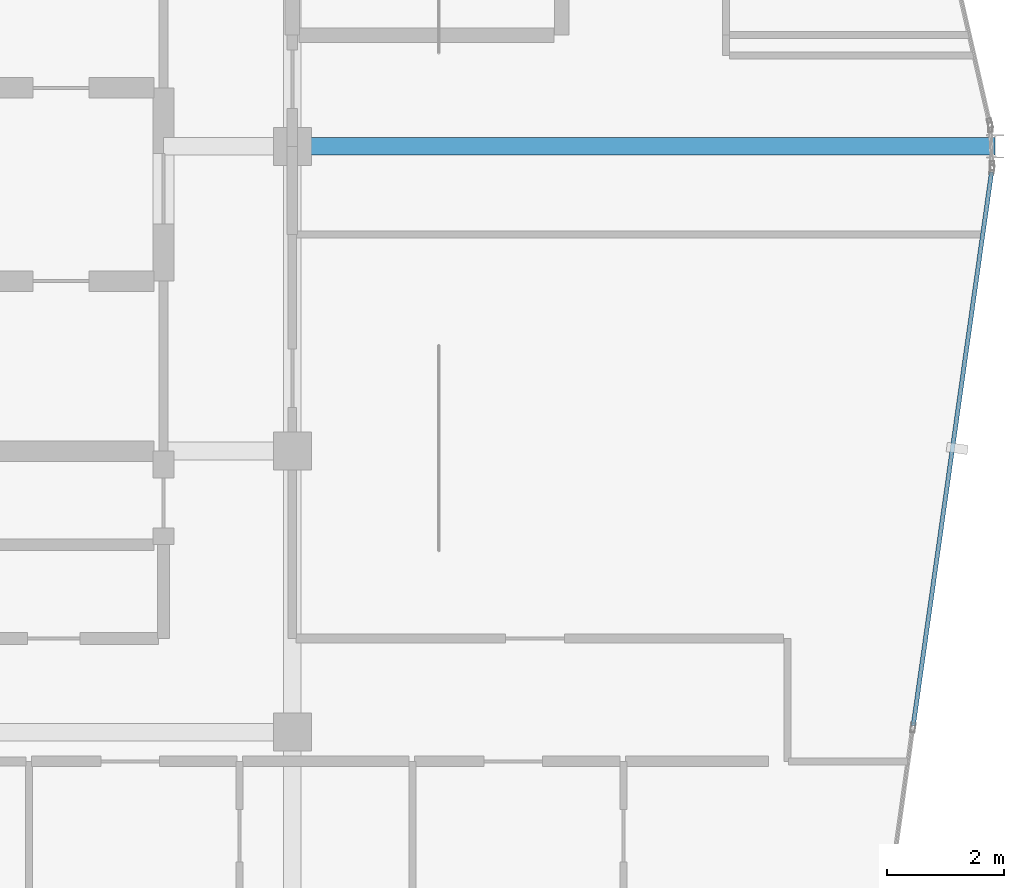
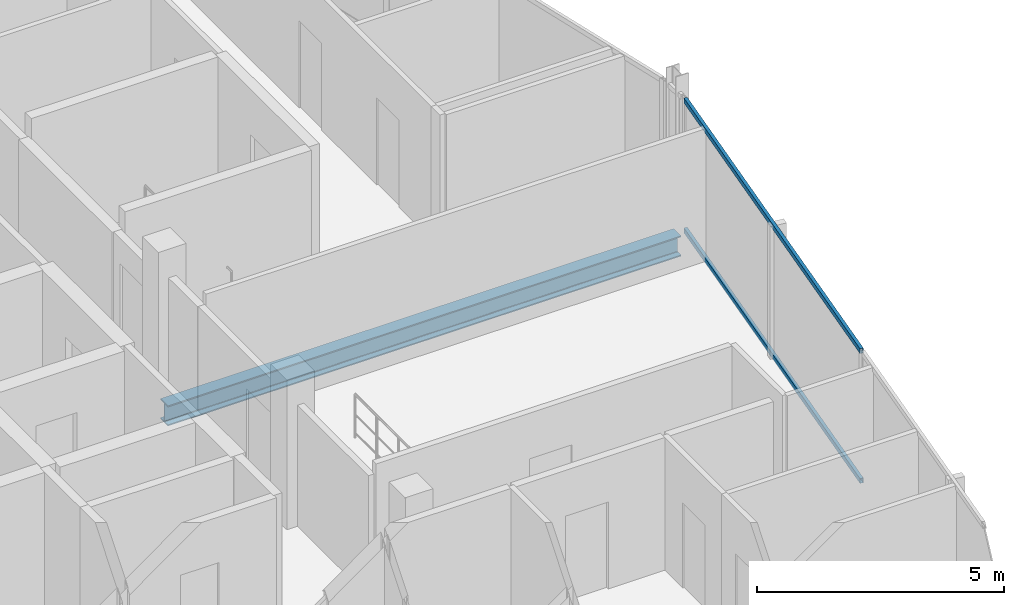
# One storey, part 13 of 27: 2 members, 1 beam, 1 element without a shape of its own.
"""IFC4 building model written with IfcOpenShell, lengths in metres."""

from ifc_helpers import new_model, si_unit, direction, frame, origin, origin_2d, place, context, subcontext, project, spatial, hollow_rectangle, i_section, extrude, material, layer, layer_set, material_profile, profile_set, type_object, element, aggregate, save


model = new_model("IFC4")

# Units and contexts
model_context = context("Model", 3, precision=1e-05, world=origin(), true_north=direction((0.0, 1.0)))
body_context = subcontext(model_context, "Body", "Model", "MODEL_VIEW")
ifc_project = project(units=[si_unit("LENGTHUNIT", "METRE"), si_unit("AREAUNIT", "SQUARE_METRE"), si_unit("VOLUMEUNIT", "CUBIC_METRE"), si_unit("PLANEANGLEUNIT", "RADIAN"), si_unit("MASSUNIT", "GRAM", prefix="KILO")], contexts=[model_context])

# Site, building, storey
site_placement = place(None, origin())
site = spatial("IfcSite", under=ifc_project, at=site_placement, CompositionType="ELEMENT")
building_placement = place(site_placement, origin())
building = spatial("IfcBuilding", under=site, at=building_placement, Name="Keshet Zoharim Tower", CompositionType="ELEMENT")
storey_placement = place(building_placement, frame((0.0, 0.0, 311.0)))
storey = spatial("IfcBuildingStorey", under=building, at=storey_placement, Name="L78", CompositionType="ELEMENT", Elevation=311.0)

# Beam
ifc_material_1 = material(Name="Steel S355", Category="steel")
ifc_material_profile_1 = material_profile(ifc_material_1, i_section(OverallWidth=0.300048828125, OverallDepth=0.5, WebThickness=0.014404296875, FlangeThickness=0.028076171875, FilletRadius=0.027099609375, at=origin_2d()), Name="HEB500")
ifc_profile_set_1 = profile_set([ifc_material_profile_1], Name="Steel S355")
beam_type = type_object("IfcBeamType", Name="BM-MED-HB500", PredefinedType="BEAM", material=ifc_profile_set_1)
beam_placement = place(storey_placement, frame((33.0, 27.89990234375, -0.56005859375), z_axis=(1.0, 0.0, 0.0), x_axis=(0.0, 1.0, 0.0)))
element("IfcBeam", 1, at=beam_placement, inside=storey, type_object=beam_type, Name="L78 Primary Girder X-007", PredefinedType="BEAM", context=body_context, shape_type="SweptSolid", body=[
    extrude(i_section(OverallWidth=0.300048828125, OverallDepth=0.5, WebThickness=0.014404296875, FlangeThickness=0.028076171875, FilletRadius=0.027099609375, at=origin_2d()), origin(), (0.0, 0.0, 1.0), 12.0),
])

# Curtain wall, members
ifc_material_2 = material(Name="Aluminium 6063-T6", Category="aluminium")
ifc_layer = layer(ifc_material_2, 0.260009765625)
ifc_layer_set = layer_set([ifc_layer], Name="Aluminium 6063-T6")
curtain_wall_type = type_object("IfcCurtainWallType", Name="CW-SYS-06", PredefinedType="NOTDEFINED", material=ifc_layer_set)
curtain_wall_placement = place(storey_placement, origin())
curtain_wall = element("IfcCurtainWall", 2, at=curtain_wall_placement, inside=storey, type_object=curtain_wall_type, Name="L78 Unitised Curtain Wall 11", PredefinedType="NOTDEFINED")
ifc_material_profile_2 = material_profile(ifc_material_2, hollow_rectangle(XDim=0.074951171875, YDim=0.1201171875, WallThickness=0.00390625, at=origin_2d()), Name="TRN-75x120")
ifc_profile_set_2 = profile_set([ifc_material_profile_2], Name="Aluminium 6063-T6")
member_type = type_object("IfcMemberType", Name="CWT-T12", PredefinedType="USERDEFINED", material=ifc_profile_set_2)
member_1_placement = place(storey_placement, frame((44.938232421875, 27.462646484375, 0.034912109375), z_axis=(-0.140150169695, -0.990130259074, 0.0), x_axis=(0.990130259074, -0.140150169695, 0.0)))
member_1 = element("IfcMember", 3, at=member_1_placement, type_object=member_type, Name="CW-06 transom 1.1", ObjectType="TRANSOM", PredefinedType="USERDEFINED", context=body_context, shape_type="SweptSolid", body=[
    extrude(hollow_rectangle(XDim=0.074951171875, YDim=0.1201171875, WallThickness=0.00390625, at=origin_2d()), origin(), (0.0, 0.0, 1.0), 9.546142578125),
])
member_2_placement = place(storey_placement, frame((44.938232421875, 27.462646484375, 3.2451171875), z_axis=(-0.140150169695, -0.990130259074, 0.0), x_axis=(0.990130259074, -0.140150169695, 0.0)))
member_2 = element("IfcMember", 4, at=member_2_placement, type_object=member_type, Name="CW-06 transom 1.2", ObjectType="TRANSOM", PredefinedType="USERDEFINED", context=body_context, shape_type="SweptSolid", body=[
    extrude(hollow_rectangle(XDim=0.074951171875, YDim=0.1201171875, WallThickness=0.00390625, at=origin_2d()), origin(), (0.0, 0.0, 1.0), 9.546142578125),
])
aggregate(curtain_wall, [member_1, member_2])

save(model, "model.ifc")
